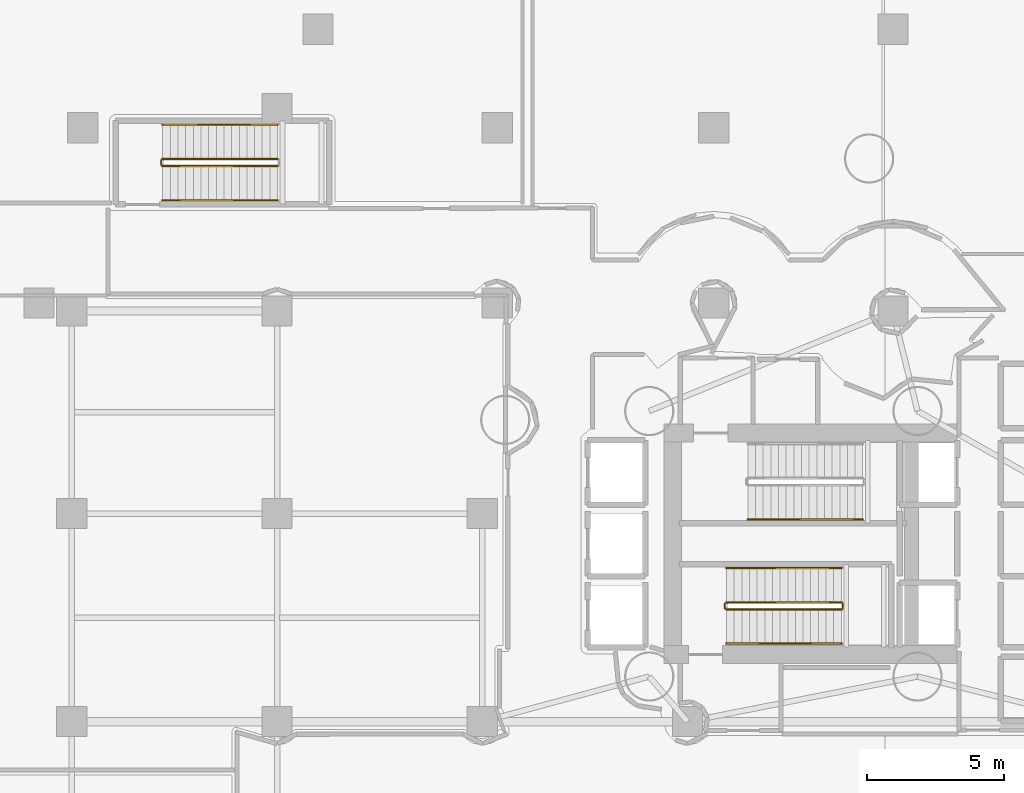
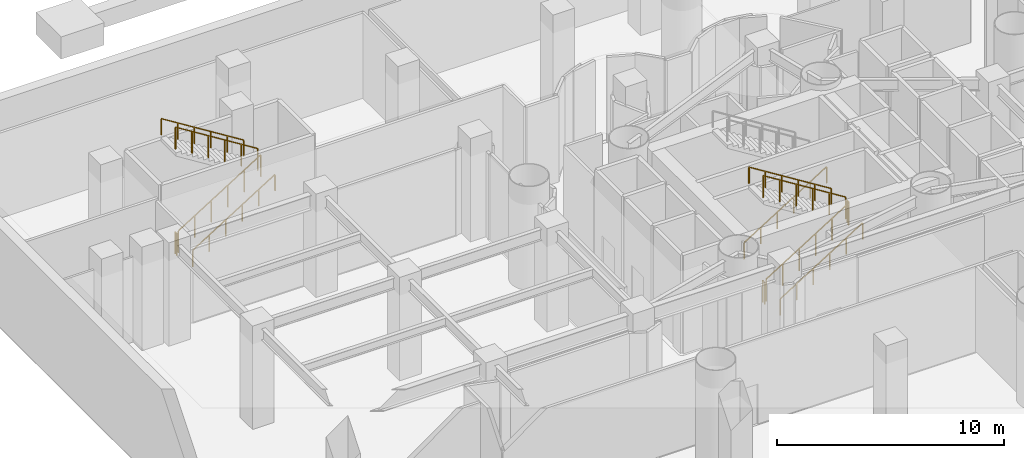
# One storey, part 9 of 11: 12 railings.
"""IFC4 building model written with IfcOpenShell, lengths in metres."""

import ifcopenshell
import ifcopenshell.guid

model = None  # the IFC model being written
_history = None  # IfcOwnerHistory: only IFC2X3 demands one
_inside = {}  # id of a spatial element -> (the spatial element, [elements in it])
_under = {}  # id of a project, library or spatial element -> (it, [spatial elements below it])
_declared = {}  # id of a project -> (the project, [libraries it declares])
_typed = {}  # id of a type object -> (the type object, [elements of that type])
_made_of = {}  # id of a material, layer set ... -> (it, [elements and type objects made of it])


def new_model(schema):
    """Start an empty IFC model of exactly this schema.

    Asked for "IFC4X3", IfcOpenShell would pick the latest addendum, in which some entities
    have other attributes; the version numbers below select the first issue.
    IFC2X3 requires an IfcOwnerHistory on every rooted entity: one is made here for all.
    """
    global model, _history
    if schema == "IFC4X3":
        model = ifcopenshell.file(schema_version=(4, 3, 0, 0))
    else:
        model = ifcopenshell.file(schema=schema)
    _inside.clear()
    _under.clear()
    _declared.clear()
    _typed.clear()
    _made_of.clear()
    _history = None
    if model.schema == "IFC2X3":
        org = make("IfcOrganization", Name="unknown")
        user = make(
            "IfcPersonAndOrganization",
            ThePerson=make("IfcPerson", FamilyName="unknown"),
            TheOrganization=org,
        )
        app = make(
            "IfcApplication",
            ApplicationDeveloper=org,
            Version="unknown",
            ApplicationFullName="unknown",
            ApplicationIdentifier="unknown",
        )
        _history = make(
            "IfcOwnerHistory",
            OwningUser=user,
            OwningApplication=app,
            ChangeAction="ADDED",
            CreationDate=0,
        )
    return model


def make(cls, **values):
    """One entity of the class cls with the attributes given. An attribute that is None is left unset."""
    return model.create_entity(
        cls, **{name: value for name, value in values.items() if value is not None}
    )


def rooted(cls, **values):
    """An entity with a GlobalId (a new one), such as an element, a storey or a relation."""
    return make(cls, GlobalId=ifcopenshell.guid.new(), OwnerHistory=_history, **values)


def si_unit(unit_type, name, prefix=None):
    """IfcSIUnit, for example si_unit("LENGTHUNIT", "METRE", prefix="MILLI")."""
    return make("IfcSIUnit", UnitType=unit_type, Prefix=prefix, Name=name)


def assignment(units):
    """IfcUnitAssignment: the units of a project."""
    return None if units is None else make("IfcUnitAssignment", Units=units)


def point(xyz):
    """IfcCartesianPoint."""
    return None if xyz is None else make("IfcCartesianPoint", Coordinates=xyz)


def direction(xyz):
    """IfcDirection."""
    return None if xyz is None else make("IfcDirection", DirectionRatios=xyz)


def frame(location, z_axis=None, x_axis=None):
    """IfcAxis2Placement3D, a coordinate frame: its origin and axes. An axis left out is left unset."""
    return make(
        "IfcAxis2Placement3D",
        Location=point(location),
        Axis=direction(z_axis),
        RefDirection=direction(x_axis),
    )


def frame_2d(location, x_axis=None):
    """IfcAxis2Placement2D, a coordinate frame in the plane: its origin and x axis."""
    return make(
        "IfcAxis2Placement2D", Location=point(location), RefDirection=direction(x_axis)
    )


def origin():
    """The frame at (0, 0, 0) with its axes left unset."""
    return frame((0.0, 0.0, 0.0))


def origin_2d():
    """The frame at (0, 0) in the plane with its x axis left unset."""
    return frame_2d((0.0, 0.0))


def place(relative_to, where):
    """IfcLocalPlacement: puts the frame where relative to a parent placement (None: the world)."""
    return make(
        "IfcLocalPlacement", PlacementRelTo=relative_to, RelativePlacement=where
    )


def context(
    kind, dimensions, precision=None, world=None, true_north=None, identifier=None
):
    """IfcGeometricRepresentationContext, for example the 3D "Model" context."""
    return make(
        "IfcGeometricRepresentationContext",
        ContextIdentifier=identifier,
        ContextType=kind,
        CoordinateSpaceDimension=dimensions,
        Precision=precision,
        WorldCoordinateSystem=world,
        TrueNorth=true_north,
    )


def subcontext(parent, identifier, kind, view, scale=None):
    """IfcGeometricRepresentationSubContext, for example "Body" below "Model"."""
    return make(
        "IfcGeometricRepresentationSubContext",
        ContextIdentifier=identifier,
        ContextType=kind,
        ParentContext=parent,
        TargetScale=scale,
        TargetView=view,
    )


def project(units=None, contexts=None):
    """IfcProject with its units and contexts."""
    return rooted(
        "IfcProject",
        Name="project",
        RepresentationContexts=contexts,
        UnitsInContext=assignment(units),
    )


def spatial(cls, under=None, at=None, **own):
    """A site, building, storey or space (cls), placed at a placement, below another one or the project."""
    s = rooted(cls, ObjectPlacement=at, **own)
    if under is not None:
        _under.setdefault(under.id(), (under, []))[1].append(s)
    return s


def profile(cls, at=None, kind="AREA", **sizes):
    """A parametric profile (cls). Its sizes go by their IFC names, for example OverallWidth=200.0."""
    return make(cls, ProfileType=kind, Position=at, **sizes)


def rectangle(**sizes):
    """IfcRectangleProfileDef."""
    return profile("IfcRectangleProfileDef", **sizes)


def extrude(swept, where, along, depth):
    """IfcExtrudedAreaSolid: the profile swept, set in the frame where, extruded along a direction by depth."""
    return make(
        "IfcExtrudedAreaSolid",
        SweptArea=swept,
        Position=where,
        ExtrudedDirection=direction(along),
        Depth=depth,
    )


def shape(context_of_items, identifier, shape_type, items):
    """IfcShapeRepresentation: the items that make up one representation, for example the "Body"."""
    return make(
        "IfcShapeRepresentation",
        ContextOfItems=context_of_items,
        RepresentationIdentifier=identifier,
        RepresentationType=shape_type,
        Items=items,
    )


def material(Name=None, Category=None):
    """IfcMaterial."""
    return make("IfcMaterial", Name=Name, Category=Category)


def made_of(thing, what):
    """Note that an element or type object is made of a material, layer set ...; save() writes the relation."""
    if what is not None:
        _made_of.setdefault(what.id(), (what, []))[1].append(thing)
    return thing


def type_object(cls, material=None, **own):
    """A type object (cls), such as IfcWallType, which elements share."""
    return made_of(rooted(cls, **own), material)


def element(
    cls,
    number,
    at=None,
    inside=None,
    cuts=None,
    type_object=None,
    material=None,
    context=None,
    identifier="Body",
    shape_type=None,
    held_by="IfcProductDefinitionShape",
    body=None,
    shapes=None,
    **own,
):
    """One element of the class cls, such as IfcWall. Its Tag is "e" and its number.

    at: its placement. inside: the storey or other place that contains it. cuts: it is an
    opening in that element (IfcRelVoidsElement). A single representation is given by context,
    identifier, shape_type and body (its items); several are given by shapes. held_by: the class
    of the entity that holds the representations. save() writes the other relations.
    """
    e = rooted(cls, Tag="e%d" % number, ObjectPlacement=at, **own)
    if body is not None:
        shapes = [shape(context, identifier, shape_type, body)]
    if shapes is not None:
        e.Representation = make(held_by, Representations=shapes)
    if inside is not None:
        _inside.setdefault(inside.id(), (inside, []))[1].append(e)
    if cuts is not None:
        rooted(
            "IfcRelVoidsElement", RelatingBuildingElement=cuts, RelatedOpeningElement=e
        )
    if type_object is not None:
        _typed.setdefault(type_object.id(), (type_object, []))[1].append(e)
    return made_of(e, material)


def aggregate(whole, parts):
    """IfcRelAggregates: a whole, such as a stair, and the parts it consists of."""
    return rooted("IfcRelAggregates", RelatingObject=whole, RelatedObjects=parts)


def save(model, path):
    """Write the relations noted so far, then the file.

    IfcRelAggregates (storeys below a building ...), IfcRelContainedInSpatialStructure (elements
    in a storey), IfcRelDefinesByType, IfcRelAssociatesMaterial and IfcRelDeclares: one each for
    every whole, place, type object, material and project.
    """
    for whole, parts in _under.values():
        aggregate(whole, parts)
    for where, things in _inside.values():
        rooted(
            "IfcRelContainedInSpatialStructure",
            RelatedElements=things,
            RelatingStructure=where,
        )
    for kind, things in _typed.values():
        rooted("IfcRelDefinesByType", RelatedObjects=things, RelatingType=kind)
    for what, things in _made_of.values():
        rooted("IfcRelAssociatesMaterial", RelatedObjects=things, RelatingMaterial=what)
    for by, libraries in _declared.values():
        rooted("IfcRelDeclares", RelatingContext=by, RelatedDefinitions=libraries)
    model.write(path)


model = new_model("IFC4")

# Units and contexts
model_context = context("Model", 3, precision=1e-05, world=origin(), true_north=direction((0.0, 1.0)))
body_context = subcontext(model_context, "Body", "Model", "MODEL_VIEW")
ifc_project = project(units=[si_unit("LENGTHUNIT", "METRE"), si_unit("AREAUNIT", "SQUARE_METRE"), si_unit("VOLUMEUNIT", "CUBIC_METRE"), si_unit("PLANEANGLEUNIT", "RADIAN"), si_unit("MASSUNIT", "GRAM", prefix="KILO")], contexts=[model_context])

# Site, building, storey
site_placement = place(None, origin())
site = spatial("IfcSite", under=ifc_project, at=site_placement, CompositionType="ELEMENT")
building_placement = place(site_placement, origin())
building = spatial("IfcBuilding", under=site, at=building_placement, Name="Qianvela Tower", CompositionType="ELEMENT")
storey_placement = place(building_placement, frame((0.0, 0.0, -5.60009765625)))
storey = spatial("IfcBuildingStorey", under=building, at=storey_placement, Name="B01", CompositionType="ELEMENT", Elevation=-5.60009765625)

# Railings
ifc_material_1 = material(Name="Painted Tubular Steel Q355B", Category="steel")
railing_type_1 = type_object("IfcRailingType", Name="RL-STAIR-GUARD-1200", PredefinedType="GUARDRAIL", material=ifc_material_1)
railing_1_placement = place(storey_placement, frame((31.419921875, 26.300048828125, 0.175048828125)))
element("IfcRailing", 1, at=railing_1_placement, inside=storey, type_object=railing_type_1, Name="B01 ST-2 stair guard 1", PredefinedType="GUARDRAIL", context=body_context, shape_type="SweptSolid", body=[
    extrude(rectangle(XDim=0.050048828125, YDim=0.0400390625, at=origin_2d()), frame((0.0, 0.0, 1.179931640625), z_axis=(0.848009380541, 0.0, 0.529981217134), x_axis=(0.0, 1.0, 0.0)), (0.0, 0.0, 1.0), 4.953125),
    extrude(rectangle(XDim=0.050048828125, YDim=0.050048828125, at=origin_2d()), origin(), (0.0, 0.0, 1.0), 1.159912109375),
    extrude(rectangle(XDim=0.050048828125, YDim=0.050048828125, at=origin_2d()), frame((0.840087890625, 0.0, 0.52490234375)), (0.0, 0.0, 1.0), 1.159912109375),
    extrude(rectangle(XDim=0.050048828125, YDim=0.050048828125, at=origin_2d()), frame((1.68017578125, 0.0, 1.050048828125)), (0.0, 0.0, 1.0), 1.159912109375),
    extrude(rectangle(XDim=0.050048828125, YDim=0.050048828125, at=origin_2d()), frame((2.52001953125, 0.0, 1.574951171875)), (0.0, 0.0, 1.0), 1.159912109375),
    extrude(rectangle(XDim=0.050048828125, YDim=0.050048828125, at=origin_2d()), frame((3.360107421875, 0.0, 2.10009765625)), (0.0, 0.0, 1.0), 1.159912109375),
    extrude(rectangle(XDim=0.050048828125, YDim=0.050048828125, at=origin_2d()), frame((4.2001953125, 0.0, 2.625)), (0.0, 0.0, 1.0), 1.159912109375),
])
railing_2_placement = place(storey_placement, frame((35.669921875, 26.35009765625, 2.800048828125)))
element("IfcRailing", 2, at=railing_2_placement, inside=storey, type_object=railing_type_1, Name="B01 ST-2 stair guard 2", PredefinedType="GUARDRAIL", context=body_context, shape_type="SweptSolid", body=[
    extrude(rectangle(XDim=0.050048828125, YDim=0.0400390625, at=origin_2d()), frame((0.0, 0.0, 1.179931640625), z_axis=(0.0, 1.0, 0.0), x_axis=(-1.0, 0.0, 0.0)), (0.0, 0.0, 1.0), 0.159912109375),
    extrude(rectangle(XDim=0.050048828125, YDim=0.050048828125, at=origin_2d()), origin(), (0.0, 0.0, 1.0), 1.159912109375),
    extrude(rectangle(XDim=0.050048828125, YDim=0.050048828125, at=origin_2d()), frame((0.0, 0.159912109375, 0.0)), (0.0, 0.0, 1.0), 1.159912109375),
])
railing_3_placement = place(storey_placement, frame((35.6201171875, 26.56005859375, 2.97509765625)))
element("IfcRailing", 3, at=railing_3_placement, inside=storey, type_object=railing_type_1, Name="B01 ST-2 stair guard 3", PredefinedType="GUARDRAIL", context=body_context, shape_type="SweptSolid", body=[
    extrude(rectangle(XDim=0.050048828125, YDim=0.0400390625, at=origin_2d()), frame((0.0, 0.0, 1.179931640625), z_axis=(-0.848009380541, 0.0, 0.529981217134), x_axis=(0.0, -1.0, 0.0)), (0.0, 0.0, 1.0), 4.953125),
    extrude(rectangle(XDim=0.050048828125, YDim=0.050048828125, at=origin_2d()), origin(), (0.0, 0.0, 1.0), 1.159912109375),
    extrude(rectangle(XDim=0.050048828125, YDim=0.050048828125, at=origin_2d()), frame((-0.840087890625, 0.0, 0.52490234375)), (0.0, 0.0, 1.0), 1.159912109375),
    extrude(rectangle(XDim=0.050048828125, YDim=0.050048828125, at=origin_2d()), frame((-1.68017578125, 0.0, 1.050048828125)), (0.0, 0.0, 1.0), 1.159912109375),
    extrude(rectangle(XDim=0.050048828125, YDim=0.050048828125, at=origin_2d()), frame((-2.52001953125, 0.0, 1.574951171875)), (0.0, 0.0, 1.0), 1.159912109375),
    extrude(rectangle(XDim=0.050048828125, YDim=0.050048828125, at=origin_2d()), frame((-3.360107421875, 0.0, 2.10009765625)), (0.0, 0.0, 1.0), 1.159912109375),
    extrude(rectangle(XDim=0.050048828125, YDim=0.050048828125, at=origin_2d()), frame((-4.2001953125, 0.0, 2.625)), (0.0, 0.0, 1.0), 1.159912109375),
])
railing_4_placement = place(storey_placement, frame((31.3701171875, 26.35009765625, 0.0)))
element("IfcRailing", 4, at=railing_4_placement, inside=storey, type_object=railing_type_1, Name="B01 ST-2 stair guard 4", PredefinedType="GUARDRAIL", context=body_context, shape_type="SweptSolid", body=[
    extrude(rectangle(XDim=0.050048828125, YDim=0.0400390625, at=origin_2d()), frame((0.0, 0.0, 1.179931640625), z_axis=(0.0, 1.0, 0.0), x_axis=(-1.0, 0.0, 0.0)), (0.0, 0.0, 1.0), 0.159912109375),
    extrude(rectangle(XDim=0.050048828125, YDim=0.050048828125, at=origin_2d()), origin(), (0.0, 0.0, 1.0), 1.159912109375),
    extrude(rectangle(XDim=0.050048828125, YDim=0.050048828125, at=origin_2d()), frame((0.0, 0.159912109375, 0.0)), (0.0, 0.0, 1.0), 1.159912109375),
])
railing_5_placement = place(storey_placement, frame((10.820068359375, 42.5, 0.175048828125)))
element("IfcRailing", 5, at=railing_5_placement, inside=storey, type_object=railing_type_1, Name="B01 ST-3 stair guard 1", PredefinedType="GUARDRAIL", context=body_context, shape_type="SweptSolid", body=[
    extrude(rectangle(XDim=0.050048828125, YDim=0.0400390625, at=origin_2d()), frame((0.0, 0.0, 1.179931640625), z_axis=(0.847995534698, 0.0, 0.530003370869), x_axis=(0.0, 1.0, 0.0)), (0.0, 0.0, 1.0), 4.952880859375),
    extrude(rectangle(XDim=0.050048828125, YDim=0.050048828125, at=origin_2d()), origin(), (0.0, 0.0, 1.0), 1.159912109375),
    extrude(rectangle(XDim=0.050048828125, YDim=0.050048828125, at=origin_2d()), frame((0.840087890625, 0.0, 0.52490234375)), (0.0, 0.0, 1.0), 1.159912109375),
    extrude(rectangle(XDim=0.050048828125, YDim=0.050048828125, at=origin_2d()), frame((1.679931640625, 0.0, 1.050048828125)), (0.0, 0.0, 1.0), 1.159912109375),
    extrude(rectangle(XDim=0.050048828125, YDim=0.050048828125, at=origin_2d()), frame((2.52001953125, 0.0, 1.574951171875)), (0.0, 0.0, 1.0), 1.159912109375),
    extrude(rectangle(XDim=0.050048828125, YDim=0.050048828125, at=origin_2d()), frame((3.35986328125, 0.0, 2.10009765625)), (0.0, 0.0, 1.0), 1.159912109375),
    extrude(rectangle(XDim=0.050048828125, YDim=0.050048828125, at=origin_2d()), frame((4.199951171875, 0.0, 2.625)), (0.0, 0.0, 1.0), 1.159912109375),
])
railing_6_placement = place(storey_placement, frame((15.02001953125, 42.760009765625, 2.97509765625)))
element("IfcRailing", 6, at=railing_6_placement, inside=storey, type_object=railing_type_1, Name="B01 ST-3 stair guard 3", PredefinedType="GUARDRAIL", context=body_context, shape_type="SweptSolid", body=[
    extrude(rectangle(XDim=0.050048828125, YDim=0.0400390625, at=origin_2d()), frame((0.0, 0.0, 1.179931640625), z_axis=(-0.847995534698, 0.0, 0.530003370869), x_axis=(0.0, -1.0, 0.0)), (0.0, 0.0, 1.0), 4.952880859375),
    extrude(rectangle(XDim=0.050048828125, YDim=0.050048828125, at=origin_2d()), origin(), (0.0, 0.0, 1.0), 1.159912109375),
    extrude(rectangle(XDim=0.050048828125, YDim=0.050048828125, at=origin_2d()), frame((-0.840087890625, 0.0, 0.52490234375)), (0.0, 0.0, 1.0), 1.159912109375),
    extrude(rectangle(XDim=0.050048828125, YDim=0.050048828125, at=origin_2d()), frame((-1.679931640625, 0.0, 1.050048828125)), (0.0, 0.0, 1.0), 1.159912109375),
    extrude(rectangle(XDim=0.050048828125, YDim=0.050048828125, at=origin_2d()), frame((-2.52001953125, 0.0, 1.574951171875)), (0.0, 0.0, 1.0), 1.159912109375),
    extrude(rectangle(XDim=0.050048828125, YDim=0.050048828125, at=origin_2d()), frame((-3.35986328125, 0.0, 2.10009765625)), (0.0, 0.0, 1.0), 1.159912109375),
    extrude(rectangle(XDim=0.050048828125, YDim=0.050048828125, at=origin_2d()), frame((-4.199951171875, 0.0, 2.625)), (0.0, 0.0, 1.0), 1.159912109375),
])
railing_7_placement = place(storey_placement, frame((10.77001953125, 42.550048828125, 0.0)))
element("IfcRailing", 7, at=railing_7_placement, inside=storey, type_object=railing_type_1, Name="B01 ST-3 stair guard 4", PredefinedType="GUARDRAIL", context=body_context, shape_type="SweptSolid", body=[
    extrude(rectangle(XDim=0.050048828125, YDim=0.0400390625, at=origin_2d()), frame((0.0, 0.0, 1.179931640625), z_axis=(0.0, 1.0, 0.0), x_axis=(-1.0, 0.0, 0.0)), (0.0, 0.0, 1.0), 0.159912109375),
    extrude(rectangle(XDim=0.050048828125, YDim=0.050048828125, at=origin_2d()), origin(), (0.0, 0.0, 1.0), 1.159912109375),
    extrude(rectangle(XDim=0.050048828125, YDim=0.050048828125, at=origin_2d()), frame((0.0, 0.159912109375, 0.0)), (0.0, 0.0, 1.0), 1.159912109375),
])
ifc_material_2 = material(Name="Brushed Stainless Steel 304", Category="steel")
railing_type_2 = type_object("IfcRailingType", Name="RL-STAIR-HANDRAIL-900", PredefinedType="HANDRAIL", material=ifc_material_2)
railing_8_placement = place(storey_placement, frame((32.199951171875, 29.590087890625, 0.175048828125)))
element("IfcRailing", 8, at=railing_8_placement, inside=storey, type_object=railing_type_2, Name="B01 ST-1 stair handrail 1", PredefinedType="HANDRAIL", context=body_context, shape_type="SweptSolid", body=[
    extrude(rectangle(XDim=0.050048828125, YDim=0.0400390625, at=origin_2d()), frame((0.0, 0.0, 0.8798828125), z_axis=(0.847995534698, 0.0, 0.530003370869), x_axis=(0.0, 1.0, 0.0)), (0.0, 0.0, 1.0), 4.952880859375),
    extrude(rectangle(XDim=0.050048828125, YDim=0.050048828125, at=origin_2d()), origin(), (0.0, 0.0, 1.0), 0.85986328125),
    extrude(rectangle(XDim=0.050048828125, YDim=0.050048828125, at=origin_2d()), frame((0.840087890625, 0.0, 0.52490234375)), (0.0, 0.0, 1.0), 0.85986328125),
    extrude(rectangle(XDim=0.050048828125, YDim=0.050048828125, at=origin_2d()), frame((1.679931640625, 0.0, 1.050048828125)), (0.0, 0.0, 1.0), 0.85986328125),
    extrude(rectangle(XDim=0.050048828125, YDim=0.050048828125, at=origin_2d()), frame((2.52001953125, 0.0, 1.574951171875)), (0.0, 0.0, 1.0), 0.85986328125),
    extrude(rectangle(XDim=0.050048828125, YDim=0.050048828125, at=origin_2d()), frame((3.35986328125, 0.0, 2.10009765625)), (0.0, 0.0, 1.0), 0.85986328125),
    extrude(rectangle(XDim=0.050048828125, YDim=0.050048828125, at=origin_2d()), frame((4.199951171875, 0.0, 2.625)), (0.0, 0.0, 1.0), 0.85986328125),
])
railing_9_placement = place(storey_placement, frame((31.419921875, 25.050048828125, 0.175048828125)))
element("IfcRailing", 9, at=railing_9_placement, inside=storey, type_object=railing_type_2, Name="B01 ST-2 stair handrail 1", PredefinedType="HANDRAIL", context=body_context, shape_type="SweptSolid", body=[
    extrude(rectangle(XDim=0.050048828125, YDim=0.0400390625, at=origin_2d()), frame((0.0, 0.0, 0.8798828125), z_axis=(0.848009380541, 0.0, 0.529981217134), x_axis=(0.0, 1.0, 0.0)), (0.0, 0.0, 1.0), 4.953125),
    extrude(rectangle(XDim=0.050048828125, YDim=0.050048828125, at=origin_2d()), origin(), (0.0, 0.0, 1.0), 0.85986328125),
    extrude(rectangle(XDim=0.050048828125, YDim=0.050048828125, at=origin_2d()), frame((0.840087890625, 0.0, 0.52490234375)), (0.0, 0.0, 1.0), 0.85986328125),
    extrude(rectangle(XDim=0.050048828125, YDim=0.050048828125, at=origin_2d()), frame((1.68017578125, 0.0, 1.050048828125)), (0.0, 0.0, 1.0), 0.85986328125),
    extrude(rectangle(XDim=0.050048828125, YDim=0.050048828125, at=origin_2d()), frame((2.52001953125, 0.0, 1.574951171875)), (0.0, 0.0, 1.0), 0.85986328125),
    extrude(rectangle(XDim=0.050048828125, YDim=0.050048828125, at=origin_2d()), frame((3.360107421875, 0.0, 2.10009765625)), (0.0, 0.0, 1.0), 0.85986328125),
    extrude(rectangle(XDim=0.050048828125, YDim=0.050048828125, at=origin_2d()), frame((4.2001953125, 0.0, 2.625)), (0.0, 0.0, 1.0), 0.85986328125),
])
railing_10_placement = place(storey_placement, frame((35.6201171875, 27.81005859375, 2.97509765625)))
element("IfcRailing", 10, at=railing_10_placement, inside=storey, type_object=railing_type_2, Name="B01 ST-2 stair handrail 2", PredefinedType="HANDRAIL", context=body_context, shape_type="SweptSolid", body=[
    extrude(rectangle(XDim=0.050048828125, YDim=0.0400390625, at=origin_2d()), frame((0.0, 0.0, 0.8798828125), z_axis=(-0.848009380541, 0.0, 0.529981217134), x_axis=(0.0, -1.0, 0.0)), (0.0, 0.0, 1.0), 4.953125),
    extrude(rectangle(XDim=0.050048828125, YDim=0.050048828125, at=origin_2d()), origin(), (0.0, 0.0, 1.0), 0.85986328125),
    extrude(rectangle(XDim=0.050048828125, YDim=0.050048828125, at=origin_2d()), frame((-0.840087890625, 0.0, 0.52490234375)), (0.0, 0.0, 1.0), 0.85986328125),
    extrude(rectangle(XDim=0.050048828125, YDim=0.050048828125, at=origin_2d()), frame((-1.68017578125, 0.0, 1.050048828125)), (0.0, 0.0, 1.0), 0.85986328125),
    extrude(rectangle(XDim=0.050048828125, YDim=0.050048828125, at=origin_2d()), frame((-2.52001953125, 0.0, 1.574951171875)), (0.0, 0.0, 1.0), 0.85986328125),
    extrude(rectangle(XDim=0.050048828125, YDim=0.050048828125, at=origin_2d()), frame((-3.360107421875, 0.0, 2.10009765625)), (0.0, 0.0, 1.0), 0.85986328125),
    extrude(rectangle(XDim=0.050048828125, YDim=0.050048828125, at=origin_2d()), frame((-4.2001953125, 0.0, 2.625)), (0.0, 0.0, 1.0), 0.85986328125),
])
railing_11_placement = place(storey_placement, frame((10.820068359375, 41.25, 0.175048828125)))
element("IfcRailing", 11, at=railing_11_placement, inside=storey, type_object=railing_type_2, Name="B01 ST-3 stair handrail 1", PredefinedType="HANDRAIL", context=body_context, shape_type="SweptSolid", body=[
    extrude(rectangle(XDim=0.050048828125, YDim=0.0400390625, at=origin_2d()), frame((0.0, 0.0, 0.8798828125), z_axis=(0.847995534698, 0.0, 0.530003370869), x_axis=(0.0, 1.0, 0.0)), (0.0, 0.0, 1.0), 4.952880859375),
    extrude(rectangle(XDim=0.050048828125, YDim=0.050048828125, at=origin_2d()), origin(), (0.0, 0.0, 1.0), 0.85986328125),
    extrude(rectangle(XDim=0.050048828125, YDim=0.050048828125, at=origin_2d()), frame((0.840087890625, 0.0, 0.52490234375)), (0.0, 0.0, 1.0), 0.85986328125),
    extrude(rectangle(XDim=0.050048828125, YDim=0.050048828125, at=origin_2d()), frame((1.679931640625, 0.0, 1.050048828125)), (0.0, 0.0, 1.0), 0.85986328125),
    extrude(rectangle(XDim=0.050048828125, YDim=0.050048828125, at=origin_2d()), frame((2.52001953125, 0.0, 1.574951171875)), (0.0, 0.0, 1.0), 0.85986328125),
    extrude(rectangle(XDim=0.050048828125, YDim=0.050048828125, at=origin_2d()), frame((3.35986328125, 0.0, 2.10009765625)), (0.0, 0.0, 1.0), 0.85986328125),
    extrude(rectangle(XDim=0.050048828125, YDim=0.050048828125, at=origin_2d()), frame((4.199951171875, 0.0, 2.625)), (0.0, 0.0, 1.0), 0.85986328125),
])
railing_12_placement = place(storey_placement, frame((15.02001953125, 44.010009765625, 2.97509765625)))
element("IfcRailing", 12, at=railing_12_placement, inside=storey, type_object=railing_type_2, Name="B01 ST-3 stair handrail 2", PredefinedType="HANDRAIL", context=body_context, shape_type="SweptSolid", body=[
    extrude(rectangle(XDim=0.050048828125, YDim=0.0400390625, at=origin_2d()), frame((0.0, 0.0, 0.8798828125), z_axis=(-0.847995534698, 0.0, 0.530003370869), x_axis=(0.0, -1.0, 0.0)), (0.0, 0.0, 1.0), 4.952880859375),
    extrude(rectangle(XDim=0.050048828125, YDim=0.050048828125, at=origin_2d()), origin(), (0.0, 0.0, 1.0), 0.85986328125),
    extrude(rectangle(XDim=0.050048828125, YDim=0.050048828125, at=origin_2d()), frame((-0.840087890625, 0.0, 0.52490234375)), (0.0, 0.0, 1.0), 0.85986328125),
    extrude(rectangle(XDim=0.050048828125, YDim=0.050048828125, at=origin_2d()), frame((-1.679931640625, 0.0, 1.050048828125)), (0.0, 0.0, 1.0), 0.85986328125),
    extrude(rectangle(XDim=0.050048828125, YDim=0.050048828125, at=origin_2d()), frame((-2.52001953125, 0.0, 1.574951171875)), (0.0, 0.0, 1.0), 0.85986328125),
    extrude(rectangle(XDim=0.050048828125, YDim=0.050048828125, at=origin_2d()), frame((-3.35986328125, 0.0, 2.10009765625)), (0.0, 0.0, 1.0), 0.85986328125),
    extrude(rectangle(XDim=0.050048828125, YDim=0.050048828125, at=origin_2d()), frame((-4.199951171875, 0.0, 2.625)), (0.0, 0.0, 1.0), 0.85986328125),
])

save(model, "model.ifc")
